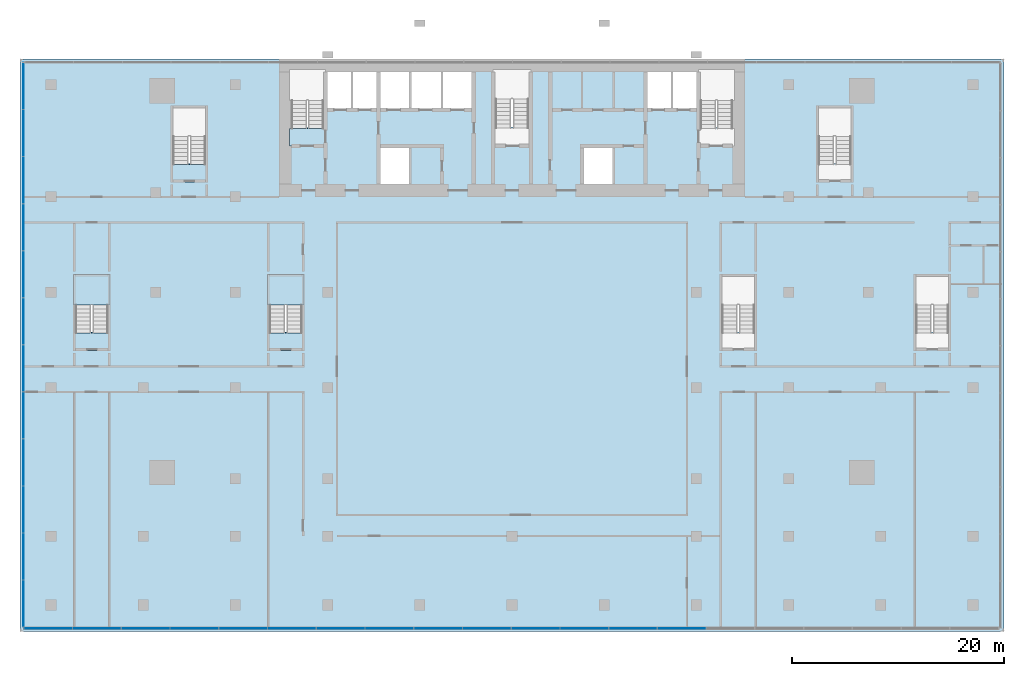
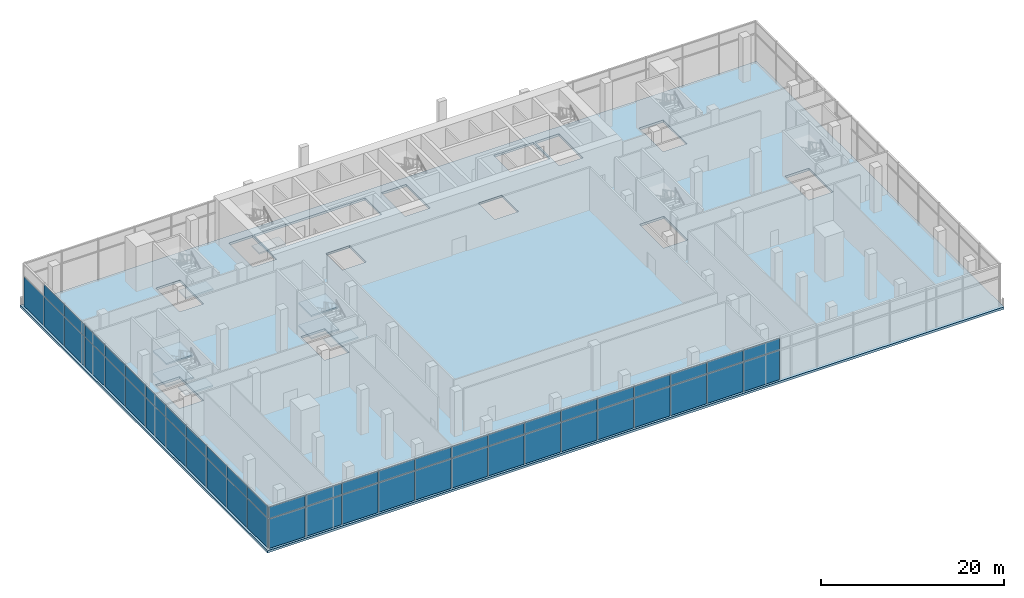
# One storey, part 9 of 21: 51 plates, 9 slabs, 6 elements without a shape of their own.
"""IFC4 building model written with IfcOpenShell, lengths in metres."""

from ifc_helpers import new_model, si_unit, direction, frame, origin, origin_2d, place, context, subcontext, project, spatial, polyline, rectangle, outline, extrude, material, layer, layer_set, type_object, element, aggregate, save


model = new_model("IFC4")

# Units and contexts
model_context = context("Model", 3, precision=1e-05, world=origin(), true_north=direction((0.0, 1.0)))
body_context = subcontext(model_context, "Body", "Model", "MODEL_VIEW")
ifc_project = project(units=[si_unit("LENGTHUNIT", "METRE"), si_unit("AREAUNIT", "SQUARE_METRE"), si_unit("VOLUMEUNIT", "CUBIC_METRE"), si_unit("PLANEANGLEUNIT", "RADIAN"), si_unit("MASSUNIT", "GRAM", prefix="KILO")], contexts=[model_context])

# Site, building, storey
site_placement = place(None, origin())
site = spatial("IfcSite", under=ifc_project, at=site_placement, CompositionType="ELEMENT")
building_placement = place(site_placement, origin())
building = spatial("IfcBuilding", under=site, at=building_placement, Name="Bicima Exchange Tower", CompositionType="ELEMENT")
storey_placement = place(building_placement, frame((0.0, 0.0, 8.0)))
storey = spatial("IfcBuildingStorey", under=building, at=storey_placement, Name="L01", CompositionType="ELEMENT", Elevation=8.0)

# Curtain wall, plates
ifc_material_1 = material(Name="Stainless steel", Category="steel")
curtain_wall_type_1 = type_object("IfcCurtainWallType", Name="Hall structural glazing", PredefinedType="NOTDEFINED", material=ifc_material_1)
curtain_wall_1_placement = place(storey_placement, origin())
curtain_wall_1 = element("IfcCurtainWall", 1, at=curtain_wall_1_placement, inside=storey, type_object=curtain_wall_type_1, Name="Podium glazing L01 south 1", PredefinedType="NOTDEFINED")
ifc_material_2 = material(Name="Clear low-iron glass", Category="glass")
ifc_layer_1 = layer(ifc_material_2, 0.0439453125)
ifc_layer_set_1 = layer_set([ifc_layer_1], Name="Clear low-iron glass")
plate_type_1 = type_object("IfcPlateType", Name="Hall structural glazing glass panel 44", PredefinedType="CURTAIN_PANEL", material=ifc_layer_set_1)
plate_1_placement = place(storey_placement, frame((-43.7607421875, -53.699951171875, 0.0), z_axis=(0.0, 0.0, 1.0), x_axis=(1.0, 0.0, 0.0)))
plate_1 = element("IfcPlate", 2, at=plate_1_placement, type_object=plate_type_1, Name="Hall structural glazing panel 1.1", PredefinedType="CURTAIN_PANEL", context=body_context, shape_type="SweptSolid", body=[
    extrude(rectangle(XDim=4.5185546875, YDim=0.0439453125, at=origin_2d()), origin(), (0.0, 0.0, 1.0), 3.89990234375),
])
plate_2_placement = place(storey_placement, frame((-43.7607421875, -53.699951171875, 4.0), z_axis=(0.0, 0.0, 1.0), x_axis=(1.0, 0.0, 0.0)))
plate_2 = element("IfcPlate", 3, at=plate_2_placement, type_object=plate_type_1, Name="Hall structural glazing panel 1.2", PredefinedType="CURTAIN_PANEL", context=body_context, shape_type="SweptSolid", body=[
    extrude(rectangle(XDim=4.5185546875, YDim=0.0439453125, at=origin_2d()), origin(), (0.0, 0.0, 1.0), 1.5),
])
plate_3_placement = place(storey_placement, frame((-39.162353515625, -53.699951171875, 0.0), z_axis=(0.0, 0.0, 1.0), x_axis=(1.0, 0.0, 0.0)))
plate_3 = element("IfcPlate", 4, at=plate_3_placement, type_object=plate_type_1, Name="Hall structural glazing panel 2.1", PredefinedType="CURTAIN_PANEL", context=body_context, shape_type="SweptSolid", body=[
    extrude(rectangle(XDim=4.5185546875, YDim=0.0439453125, at=origin_2d()), origin(), (0.0, 0.0, 1.0), 3.89990234375),
])
plate_4_placement = place(storey_placement, frame((-39.162353515625, -53.699951171875, 4.0), z_axis=(0.0, 0.0, 1.0), x_axis=(1.0, 0.0, 0.0)))
plate_4 = element("IfcPlate", 5, at=plate_4_placement, type_object=plate_type_1, Name="Hall structural glazing panel 2.2", PredefinedType="CURTAIN_PANEL", context=body_context, shape_type="SweptSolid", body=[
    extrude(rectangle(XDim=4.5185546875, YDim=0.0439453125, at=origin_2d()), origin(), (0.0, 0.0, 1.0), 1.5),
])
plate_5_placement = place(storey_placement, frame((-34.563720703125, -53.699951171875, 0.0), z_axis=(0.0, 0.0, 1.0), x_axis=(1.0, 0.0, 0.0)))
plate_5 = element("IfcPlate", 6, at=plate_5_placement, type_object=plate_type_1, Name="Hall structural glazing panel 3.1", PredefinedType="CURTAIN_PANEL", context=body_context, shape_type="SweptSolid", body=[
    extrude(rectangle(XDim=4.5185546875, YDim=0.0439453125, at=origin_2d()), origin(), (0.0, 0.0, 1.0), 3.89990234375),
])
plate_6_placement = place(storey_placement, frame((-34.563720703125, -53.699951171875, 4.0), z_axis=(0.0, 0.0, 1.0), x_axis=(1.0, 0.0, 0.0)))
plate_6 = element("IfcPlate", 7, at=plate_6_placement, type_object=plate_type_1, Name="Hall structural glazing panel 3.2", PredefinedType="CURTAIN_PANEL", context=body_context, shape_type="SweptSolid", body=[
    extrude(rectangle(XDim=4.5185546875, YDim=0.0439453125, at=origin_2d()), origin(), (0.0, 0.0, 1.0), 1.5),
])
plate_7_placement = place(storey_placement, frame((-29.96533203125, -53.699951171875, 0.0), z_axis=(0.0, 0.0, 1.0), x_axis=(1.0, 0.0, 0.0)))
plate_7 = element("IfcPlate", 8, at=plate_7_placement, type_object=plate_type_1, Name="Hall structural glazing panel 4.1", PredefinedType="CURTAIN_PANEL", context=body_context, shape_type="SweptSolid", body=[
    extrude(rectangle(XDim=4.5185546875, YDim=0.0439453125, at=origin_2d()), origin(), (0.0, 0.0, 1.0), 3.89990234375),
])
plate_8_placement = place(storey_placement, frame((-29.96533203125, -53.699951171875, 4.0), z_axis=(0.0, 0.0, 1.0), x_axis=(1.0, 0.0, 0.0)))
plate_8 = element("IfcPlate", 9, at=plate_8_placement, type_object=plate_type_1, Name="Hall structural glazing panel 4.2", PredefinedType="CURTAIN_PANEL", context=body_context, shape_type="SweptSolid", body=[
    extrude(rectangle(XDim=4.5185546875, YDim=0.0439453125, at=origin_2d()), origin(), (0.0, 0.0, 1.0), 1.5),
])
plate_9_placement = place(storey_placement, frame((-25.36669921875, -53.699951171875, 0.0), z_axis=(0.0, 0.0, 1.0), x_axis=(1.0, 0.0, 0.0)))
plate_9 = element("IfcPlate", 10, at=plate_9_placement, type_object=plate_type_1, Name="Hall structural glazing panel 5.1", PredefinedType="CURTAIN_PANEL", context=body_context, shape_type="SweptSolid", body=[
    extrude(rectangle(XDim=4.5185546875, YDim=0.0439453125, at=origin_2d()), origin(), (0.0, 0.0, 1.0), 3.89990234375),
])
plate_10_placement = place(storey_placement, frame((-25.36669921875, -53.699951171875, 4.0), z_axis=(0.0, 0.0, 1.0), x_axis=(1.0, 0.0, 0.0)))
plate_10 = element("IfcPlate", 11, at=plate_10_placement, type_object=plate_type_1, Name="Hall structural glazing panel 5.2", PredefinedType="CURTAIN_PANEL", context=body_context, shape_type="SweptSolid", body=[
    extrude(rectangle(XDim=4.5185546875, YDim=0.0439453125, at=origin_2d()), origin(), (0.0, 0.0, 1.0), 1.5),
])
plate_11_placement = place(storey_placement, frame((-20.768310546875, -53.699951171875, 0.0), z_axis=(0.0, 0.0, 1.0), x_axis=(1.0, 0.0, 0.0)))
plate_11 = element("IfcPlate", 12, at=plate_11_placement, type_object=plate_type_1, Name="Hall structural glazing panel 6.1", PredefinedType="CURTAIN_PANEL", context=body_context, shape_type="SweptSolid", body=[
    extrude(rectangle(XDim=4.5185546875, YDim=0.0439453125, at=origin_2d()), origin(), (0.0, 0.0, 1.0), 3.89990234375),
])
plate_12_placement = place(storey_placement, frame((-20.768310546875, -53.699951171875, 4.0), z_axis=(0.0, 0.0, 1.0), x_axis=(1.0, 0.0, 0.0)))
plate_12 = element("IfcPlate", 13, at=plate_12_placement, type_object=plate_type_1, Name="Hall structural glazing panel 6.2", PredefinedType="CURTAIN_PANEL", context=body_context, shape_type="SweptSolid", body=[
    extrude(rectangle(XDim=4.5185546875, YDim=0.0439453125, at=origin_2d()), origin(), (0.0, 0.0, 1.0), 1.5),
])
plate_13_placement = place(storey_placement, frame((-16.169921875, -53.699951171875, 0.0), z_axis=(0.0, 0.0, 1.0), x_axis=(1.0, 0.0, 0.0)))
plate_13 = element("IfcPlate", 14, at=plate_13_placement, type_object=plate_type_1, Name="Hall structural glazing panel 7.1", PredefinedType="CURTAIN_PANEL", context=body_context, shape_type="SweptSolid", body=[
    extrude(rectangle(XDim=4.5185546875, YDim=0.0439453125, at=origin_2d()), origin(), (0.0, 0.0, 1.0), 3.89990234375),
])
plate_14_placement = place(storey_placement, frame((-16.169921875, -53.699951171875, 4.0), z_axis=(0.0, 0.0, 1.0), x_axis=(1.0, 0.0, 0.0)))
plate_14 = element("IfcPlate", 15, at=plate_14_placement, type_object=plate_type_1, Name="Hall structural glazing panel 7.2", PredefinedType="CURTAIN_PANEL", context=body_context, shape_type="SweptSolid", body=[
    extrude(rectangle(XDim=4.5185546875, YDim=0.0439453125, at=origin_2d()), origin(), (0.0, 0.0, 1.0), 1.5),
])
plate_15_placement = place(storey_placement, frame((-11.5712890625, -53.699951171875, 0.0), z_axis=(0.0, 0.0, 1.0), x_axis=(1.0, 0.0, 0.0)))
plate_15 = element("IfcPlate", 16, at=plate_15_placement, type_object=plate_type_1, Name="Hall structural glazing panel 8.1", PredefinedType="CURTAIN_PANEL", context=body_context, shape_type="SweptSolid", body=[
    extrude(rectangle(XDim=4.5185546875, YDim=0.0439453125, at=origin_2d()), origin(), (0.0, 0.0, 1.0), 3.89990234375),
])
plate_16_placement = place(storey_placement, frame((-11.5712890625, -53.699951171875, 4.0), z_axis=(0.0, 0.0, 1.0), x_axis=(1.0, 0.0, 0.0)))
plate_16 = element("IfcPlate", 17, at=plate_16_placement, type_object=plate_type_1, Name="Hall structural glazing panel 8.2", PredefinedType="CURTAIN_PANEL", context=body_context, shape_type="SweptSolid", body=[
    extrude(rectangle(XDim=4.5185546875, YDim=0.0439453125, at=origin_2d()), origin(), (0.0, 0.0, 1.0), 1.5),
])
plate_17_placement = place(storey_placement, frame((-6.972900390625, -53.699951171875, 0.0), z_axis=(0.0, 0.0, 1.0), x_axis=(1.0, 0.0, 0.0)))
plate_17 = element("IfcPlate", 18, at=plate_17_placement, type_object=plate_type_1, Name="Hall structural glazing panel 9.1", PredefinedType="CURTAIN_PANEL", context=body_context, shape_type="SweptSolid", body=[
    extrude(rectangle(XDim=4.5185546875, YDim=0.0439453125, at=origin_2d()), origin(), (0.0, 0.0, 1.0), 3.89990234375),
])
plate_18_placement = place(storey_placement, frame((-6.972900390625, -53.699951171875, 4.0), z_axis=(0.0, 0.0, 1.0), x_axis=(1.0, 0.0, 0.0)))
plate_18 = element("IfcPlate", 19, at=plate_18_placement, type_object=plate_type_1, Name="Hall structural glazing panel 9.2", PredefinedType="CURTAIN_PANEL", context=body_context, shape_type="SweptSolid", body=[
    extrude(rectangle(XDim=4.5185546875, YDim=0.0439453125, at=origin_2d()), origin(), (0.0, 0.0, 1.0), 1.5),
])
plate_19_placement = place(storey_placement, frame((-2.374267578125, -53.699951171875, 0.0), z_axis=(0.0, 0.0, 1.0), x_axis=(1.0, 0.0, 0.0)))
plate_19 = element("IfcPlate", 20, at=plate_19_placement, type_object=plate_type_1, Name="Hall structural glazing panel 10.1", PredefinedType="CURTAIN_PANEL", context=body_context, shape_type="SweptSolid", body=[
    extrude(rectangle(XDim=4.5185546875, YDim=0.0439453125, at=origin_2d()), origin(), (0.0, 0.0, 1.0), 3.89990234375),
])
plate_20_placement = place(storey_placement, frame((-2.374267578125, -53.699951171875, 4.0), z_axis=(0.0, 0.0, 1.0), x_axis=(1.0, 0.0, 0.0)))
plate_20 = element("IfcPlate", 21, at=plate_20_placement, type_object=plate_type_1, Name="Hall structural glazing panel 10.2", PredefinedType="CURTAIN_PANEL", context=body_context, shape_type="SweptSolid", body=[
    extrude(rectangle(XDim=4.5185546875, YDim=0.0439453125, at=origin_2d()), origin(), (0.0, 0.0, 1.0), 1.5),
])
plate_21_placement = place(storey_placement, frame((2.22412109375, -53.699951171875, 0.0), z_axis=(0.0, 0.0, 1.0), x_axis=(1.0, 0.0, 0.0)))
plate_21 = element("IfcPlate", 22, at=plate_21_placement, type_object=plate_type_1, Name="Hall structural glazing panel 11.1", PredefinedType="CURTAIN_PANEL", context=body_context, shape_type="SweptSolid", body=[
    extrude(rectangle(XDim=4.5185546875, YDim=0.0439453125, at=origin_2d()), origin(), (0.0, 0.0, 1.0), 3.89990234375),
])
plate_22_placement = place(storey_placement, frame((2.22412109375, -53.699951171875, 4.0), z_axis=(0.0, 0.0, 1.0), x_axis=(1.0, 0.0, 0.0)))
plate_22 = element("IfcPlate", 23, at=plate_22_placement, type_object=plate_type_1, Name="Hall structural glazing panel 11.2", PredefinedType="CURTAIN_PANEL", context=body_context, shape_type="SweptSolid", body=[
    extrude(rectangle(XDim=4.5185546875, YDim=0.0439453125, at=origin_2d()), origin(), (0.0, 0.0, 1.0), 1.5),
])
plate_23_placement = place(storey_placement, frame((6.82275390625, -53.699951171875, 0.0), z_axis=(0.0, 0.0, 1.0), x_axis=(1.0, 0.0, 0.0)))
plate_23 = element("IfcPlate", 24, at=plate_23_placement, type_object=plate_type_1, Name="Hall structural glazing panel 12.1", PredefinedType="CURTAIN_PANEL", context=body_context, shape_type="SweptSolid", body=[
    extrude(rectangle(XDim=4.5185546875, YDim=0.0439453125, at=origin_2d()), origin(), (0.0, 0.0, 1.0), 3.89990234375),
])
plate_24_placement = place(storey_placement, frame((6.82275390625, -53.699951171875, 4.0), z_axis=(0.0, 0.0, 1.0), x_axis=(1.0, 0.0, 0.0)))
plate_24 = element("IfcPlate", 25, at=plate_24_placement, type_object=plate_type_1, Name="Hall structural glazing panel 12.2", PredefinedType="CURTAIN_PANEL", context=body_context, shape_type="SweptSolid", body=[
    extrude(rectangle(XDim=4.5185546875, YDim=0.0439453125, at=origin_2d()), origin(), (0.0, 0.0, 1.0), 1.5),
])
plate_25_placement = place(storey_placement, frame((11.421142578125, -53.699951171875, 0.0), z_axis=(0.0, 0.0, 1.0), x_axis=(1.0, 0.0, 0.0)))
plate_25 = element("IfcPlate", 26, at=plate_25_placement, type_object=plate_type_1, Name="Hall structural glazing panel 13.1", PredefinedType="CURTAIN_PANEL", context=body_context, shape_type="SweptSolid", body=[
    extrude(rectangle(XDim=4.5185546875, YDim=0.0439453125, at=origin_2d()), origin(), (0.0, 0.0, 1.0), 3.89990234375),
])
plate_26_placement = place(storey_placement, frame((11.421142578125, -53.699951171875, 4.0), z_axis=(0.0, 0.0, 1.0), x_axis=(1.0, 0.0, 0.0)))
plate_26 = element("IfcPlate", 27, at=plate_26_placement, type_object=plate_type_1, Name="Hall structural glazing panel 13.2", PredefinedType="CURTAIN_PANEL", context=body_context, shape_type="SweptSolid", body=[
    extrude(rectangle(XDim=4.5185546875, YDim=0.0439453125, at=origin_2d()), origin(), (0.0, 0.0, 1.0), 1.5),
])
plate_27_placement = place(storey_placement, frame((16.019775390625, -53.699951171875, 0.0), z_axis=(0.0, 0.0, 1.0), x_axis=(1.0, 0.0, 0.0)))
plate_27 = element("IfcPlate", 28, at=plate_27_placement, type_object=plate_type_1, Name="Hall structural glazing panel 14.1", PredefinedType="CURTAIN_PANEL", context=body_context, shape_type="SweptSolid", body=[
    extrude(rectangle(XDim=4.5185546875, YDim=0.0439453125, at=origin_2d()), origin(), (0.0, 0.0, 1.0), 3.89990234375),
])
plate_28_placement = place(storey_placement, frame((16.019775390625, -53.699951171875, 4.0), z_axis=(0.0, 0.0, 1.0), x_axis=(1.0, 0.0, 0.0)))
plate_28 = element("IfcPlate", 29, at=plate_28_placement, type_object=plate_type_1, Name="Hall structural glazing panel 14.2", PredefinedType="CURTAIN_PANEL", context=body_context, shape_type="SweptSolid", body=[
    extrude(rectangle(XDim=4.5185546875, YDim=0.0439453125, at=origin_2d()), origin(), (0.0, 0.0, 1.0), 1.5),
])
aggregate(curtain_wall_1, [plate_1, plate_2, plate_3, plate_4, plate_5, plate_6, plate_7, plate_8, plate_9, plate_10, plate_11, plate_12, plate_13, plate_14, plate_15, plate_16, plate_17, plate_18, plate_19, plate_20, plate_21, plate_22, plate_23, plate_24, plate_25, plate_26, plate_27, plate_28])

ifc_material_3 = material(Name="Anodised bronze aluminium", Category="aluminium")
curtain_wall_type_2 = type_object("IfcCurtainWallType", Name="Lobby glazing", PredefinedType="NOTDEFINED", material=ifc_material_3)
curtain_wall_2_placement = place(storey_placement, origin())
curtain_wall_2 = element("IfcCurtainWall", 30, at=curtain_wall_2_placement, inside=storey, type_object=curtain_wall_type_2, Name="Podium glazing L01 west 1", PredefinedType="NOTDEFINED")
ifc_layer_2 = layer(ifc_material_2, 0.035888671875)
ifc_layer_set_2 = layer_set([ifc_layer_2], Name="Clear low-iron glass")
plate_type_2 = type_object("IfcPlateType", Name="Lobby glazing glass panel 36", PredefinedType="CURTAIN_PANEL", material=ifc_layer_set_2)
plate_29_placement = place(storey_placement, frame((-46.10009765625, -2.54833984375, 0.0), z_axis=(0.0, 0.0, 1.0), x_axis=(0.0, -1.0, 0.0)))
plate_29 = element("IfcPlate", 31, at=plate_29_placement, type_object=plate_type_2, Name="Lobby glazing panel 1.1", PredefinedType="CURTAIN_PANEL", context=body_context, shape_type="SweptSolid", body=[
    extrude(rectangle(XDim=4.376708984375, YDim=0.035888671875, at=origin_2d()), origin(), (0.0, 0.0, 1.0), 3.929931640625),
])
plate_30_placement = place(storey_placement, frame((-46.10009765625, -6.985107421875, 0.0), z_axis=(0.0, 0.0, 1.0), x_axis=(0.0, -1.0, 0.0)))
plate_30 = element("IfcPlate", 32, at=plate_30_placement, type_object=plate_type_2, Name="Lobby glazing panel 2.1", PredefinedType="CURTAIN_PANEL", context=body_context, shape_type="SweptSolid", body=[
    extrude(rectangle(XDim=4.376708984375, YDim=0.035888671875, at=origin_2d()), origin(), (0.0, 0.0, 1.0), 3.929931640625),
])
plate_31_placement = place(storey_placement, frame((-46.10009765625, -6.985107421875, 4.0), z_axis=(0.0, 0.0, 1.0), x_axis=(0.0, -1.0, 0.0)))
plate_31 = element("IfcPlate", 33, at=plate_31_placement, type_object=plate_type_2, Name="Lobby glazing panel 2.2", PredefinedType="CURTAIN_PANEL", context=body_context, shape_type="SweptSolid", body=[
    extrude(rectangle(XDim=4.376708984375, YDim=0.035888671875, at=origin_2d()), origin(), (0.0, 0.0, 1.0), 1.56005859375),
])
plate_32_placement = place(storey_placement, frame((-46.10009765625, -11.421630859375, 0.0), z_axis=(0.0, 0.0, 1.0), x_axis=(0.0, -1.0, 0.0)))
plate_32 = element("IfcPlate", 34, at=plate_32_placement, type_object=plate_type_2, Name="Lobby glazing panel 3.1", PredefinedType="CURTAIN_PANEL", context=body_context, shape_type="SweptSolid", body=[
    extrude(rectangle(XDim=4.376708984375, YDim=0.035888671875, at=origin_2d()), origin(), (0.0, 0.0, 1.0), 3.929931640625),
])
plate_33_placement = place(storey_placement, frame((-46.10009765625, -11.421630859375, 4.0), z_axis=(0.0, 0.0, 1.0), x_axis=(0.0, -1.0, 0.0)))
plate_33 = element("IfcPlate", 35, at=plate_33_placement, type_object=plate_type_2, Name="Lobby glazing panel 3.2", PredefinedType="CURTAIN_PANEL", context=body_context, shape_type="SweptSolid", body=[
    extrude(rectangle(XDim=4.376708984375, YDim=0.035888671875, at=origin_2d()), origin(), (0.0, 0.0, 1.0), 1.56005859375),
])
plate_34_placement = place(storey_placement, frame((-46.10009765625, -15.8583984375, 0.0), z_axis=(0.0, 0.0, 1.0), x_axis=(0.0, -1.0, 0.0)))
plate_34 = element("IfcPlate", 36, at=plate_34_placement, type_object=plate_type_2, Name="Lobby glazing panel 4.1", PredefinedType="CURTAIN_PANEL", context=body_context, shape_type="SweptSolid", body=[
    extrude(rectangle(XDim=4.376708984375, YDim=0.035888671875, at=origin_2d()), origin(), (0.0, 0.0, 1.0), 3.929931640625),
])
plate_35_placement = place(storey_placement, frame((-46.10009765625, -15.8583984375, 4.0), z_axis=(0.0, 0.0, 1.0), x_axis=(0.0, -1.0, 0.0)))
plate_35 = element("IfcPlate", 37, at=plate_35_placement, type_object=plate_type_2, Name="Lobby glazing panel 4.2", PredefinedType="CURTAIN_PANEL", context=body_context, shape_type="SweptSolid", body=[
    extrude(rectangle(XDim=4.376708984375, YDim=0.035888671875, at=origin_2d()), origin(), (0.0, 0.0, 1.0), 1.56005859375),
])
plate_36_placement = place(storey_placement, frame((-46.10009765625, -20.294921875, 0.0), z_axis=(0.0, 0.0, 1.0), x_axis=(0.0, -1.0, 0.0)))
plate_36 = element("IfcPlate", 38, at=plate_36_placement, type_object=plate_type_2, Name="Lobby glazing panel 5.1", PredefinedType="CURTAIN_PANEL", context=body_context, shape_type="SweptSolid", body=[
    extrude(rectangle(XDim=4.376708984375, YDim=0.035888671875, at=origin_2d()), origin(), (0.0, 0.0, 1.0), 3.929931640625),
])
plate_37_placement = place(storey_placement, frame((-46.10009765625, -20.294921875, 4.0), z_axis=(0.0, 0.0, 1.0), x_axis=(0.0, -1.0, 0.0)))
plate_37 = element("IfcPlate", 39, at=plate_37_placement, type_object=plate_type_2, Name="Lobby glazing panel 5.2", PredefinedType="CURTAIN_PANEL", context=body_context, shape_type="SweptSolid", body=[
    extrude(rectangle(XDim=4.376708984375, YDim=0.035888671875, at=origin_2d()), origin(), (0.0, 0.0, 1.0), 1.56005859375),
])
plate_38_placement = place(storey_placement, frame((-46.10009765625, -24.731689453125, 0.0), z_axis=(0.0, 0.0, 1.0), x_axis=(0.0, -1.0, 0.0)))
plate_38 = element("IfcPlate", 40, at=plate_38_placement, type_object=plate_type_2, Name="Lobby glazing panel 6.1", PredefinedType="CURTAIN_PANEL", context=body_context, shape_type="SweptSolid", body=[
    extrude(rectangle(XDim=4.376708984375, YDim=0.035888671875, at=origin_2d()), origin(), (0.0, 0.0, 1.0), 3.929931640625),
])
plate_39_placement = place(storey_placement, frame((-46.10009765625, -24.731689453125, 4.0), z_axis=(0.0, 0.0, 1.0), x_axis=(0.0, -1.0, 0.0)))
plate_39 = element("IfcPlate", 41, at=plate_39_placement, type_object=plate_type_2, Name="Lobby glazing panel 6.2", PredefinedType="CURTAIN_PANEL", context=body_context, shape_type="SweptSolid", body=[
    extrude(rectangle(XDim=4.376708984375, YDim=0.035888671875, at=origin_2d()), origin(), (0.0, 0.0, 1.0), 1.56005859375),
])
plate_40_placement = place(storey_placement, frame((-46.10009765625, -29.168212890625, 0.0), z_axis=(0.0, 0.0, 1.0), x_axis=(0.0, -1.0, 0.0)))
plate_40 = element("IfcPlate", 42, at=plate_40_placement, type_object=plate_type_2, Name="Lobby glazing panel 7.1", PredefinedType="CURTAIN_PANEL", context=body_context, shape_type="SweptSolid", body=[
    extrude(rectangle(XDim=4.376708984375, YDim=0.035888671875, at=origin_2d()), origin(), (0.0, 0.0, 1.0), 3.929931640625),
])
plate_41_placement = place(storey_placement, frame((-46.10009765625, -29.168212890625, 4.0), z_axis=(0.0, 0.0, 1.0), x_axis=(0.0, -1.0, 0.0)))
plate_41 = element("IfcPlate", 43, at=plate_41_placement, type_object=plate_type_2, Name="Lobby glazing panel 7.2", PredefinedType="CURTAIN_PANEL", context=body_context, shape_type="SweptSolid", body=[
    extrude(rectangle(XDim=4.376708984375, YDim=0.035888671875, at=origin_2d()), origin(), (0.0, 0.0, 1.0), 1.56005859375),
])
plate_42_placement = place(storey_placement, frame((-46.10009765625, -33.60498046875, 0.0), z_axis=(0.0, 0.0, 1.0), x_axis=(0.0, -1.0, 0.0)))
plate_42 = element("IfcPlate", 44, at=plate_42_placement, type_object=plate_type_2, Name="Lobby glazing panel 8.1", PredefinedType="CURTAIN_PANEL", context=body_context, shape_type="SweptSolid", body=[
    extrude(rectangle(XDim=4.376708984375, YDim=0.035888671875, at=origin_2d()), origin(), (0.0, 0.0, 1.0), 3.929931640625),
])
plate_43_placement = place(storey_placement, frame((-46.10009765625, -33.60498046875, 4.0), z_axis=(0.0, 0.0, 1.0), x_axis=(0.0, -1.0, 0.0)))
plate_43 = element("IfcPlate", 45, at=plate_43_placement, type_object=plate_type_2, Name="Lobby glazing panel 8.2", PredefinedType="CURTAIN_PANEL", context=body_context, shape_type="SweptSolid", body=[
    extrude(rectangle(XDim=4.376708984375, YDim=0.035888671875, at=origin_2d()), origin(), (0.0, 0.0, 1.0), 1.56005859375),
])
plate_44_placement = place(storey_placement, frame((-46.10009765625, -38.041748046875, 0.0), z_axis=(0.0, 0.0, 1.0), x_axis=(0.0, -1.0, 0.0)))
plate_44 = element("IfcPlate", 46, at=plate_44_placement, type_object=plate_type_2, Name="Lobby glazing panel 9.1", PredefinedType="CURTAIN_PANEL", context=body_context, shape_type="SweptSolid", body=[
    extrude(rectangle(XDim=4.376708984375, YDim=0.035888671875, at=origin_2d()), origin(), (0.0, 0.0, 1.0), 3.929931640625),
])
plate_45_placement = place(storey_placement, frame((-46.10009765625, -38.041748046875, 4.0), z_axis=(0.0, 0.0, 1.0), x_axis=(0.0, -1.0, 0.0)))
plate_45 = element("IfcPlate", 47, at=plate_45_placement, type_object=plate_type_2, Name="Lobby glazing panel 9.2", PredefinedType="CURTAIN_PANEL", context=body_context, shape_type="SweptSolid", body=[
    extrude(rectangle(XDim=4.376708984375, YDim=0.035888671875, at=origin_2d()), origin(), (0.0, 0.0, 1.0), 1.56005859375),
])
plate_46_placement = place(storey_placement, frame((-46.10009765625, -42.478271484375, 0.0), z_axis=(0.0, 0.0, 1.0), x_axis=(0.0, -1.0, 0.0)))
plate_46 = element("IfcPlate", 48, at=plate_46_placement, type_object=plate_type_2, Name="Lobby glazing panel 10.1", PredefinedType="CURTAIN_PANEL", context=body_context, shape_type="SweptSolid", body=[
    extrude(rectangle(XDim=4.376708984375, YDim=0.035888671875, at=origin_2d()), origin(), (0.0, 0.0, 1.0), 3.929931640625),
])
plate_47_placement = place(storey_placement, frame((-46.10009765625, -42.478271484375, 4.0), z_axis=(0.0, 0.0, 1.0), x_axis=(0.0, -1.0, 0.0)))
plate_47 = element("IfcPlate", 49, at=plate_47_placement, type_object=plate_type_2, Name="Lobby glazing panel 10.2", PredefinedType="CURTAIN_PANEL", context=body_context, shape_type="SweptSolid", body=[
    extrude(rectangle(XDim=4.376708984375, YDim=0.035888671875, at=origin_2d()), origin(), (0.0, 0.0, 1.0), 1.56005859375),
])
plate_48_placement = place(storey_placement, frame((-46.10009765625, -46.9150390625, 0.0), z_axis=(0.0, 0.0, 1.0), x_axis=(0.0, -1.0, 0.0)))
plate_48 = element("IfcPlate", 50, at=plate_48_placement, type_object=plate_type_2, Name="Lobby glazing panel 11.1", PredefinedType="CURTAIN_PANEL", context=body_context, shape_type="SweptSolid", body=[
    extrude(rectangle(XDim=4.376708984375, YDim=0.035888671875, at=origin_2d()), origin(), (0.0, 0.0, 1.0), 3.929931640625),
])
plate_49_placement = place(storey_placement, frame((-46.10009765625, -46.9150390625, 4.0), z_axis=(0.0, 0.0, 1.0), x_axis=(0.0, -1.0, 0.0)))
plate_49 = element("IfcPlate", 51, at=plate_49_placement, type_object=plate_type_2, Name="Lobby glazing panel 11.2", PredefinedType="CURTAIN_PANEL", context=body_context, shape_type="SweptSolid", body=[
    extrude(rectangle(XDim=4.376708984375, YDim=0.035888671875, at=origin_2d()), origin(), (0.0, 0.0, 1.0), 1.56005859375),
])
plate_50_placement = place(storey_placement, frame((-46.10009765625, -51.351806640625, 0.0), z_axis=(0.0, 0.0, 1.0), x_axis=(0.0, -1.0, 0.0)))
plate_50 = element("IfcPlate", 52, at=plate_50_placement, type_object=plate_type_2, Name="Lobby glazing panel 12.1", PredefinedType="CURTAIN_PANEL", context=body_context, shape_type="SweptSolid", body=[
    extrude(rectangle(XDim=4.376708984375, YDim=0.035888671875, at=origin_2d()), origin(), (0.0, 0.0, 1.0), 3.929931640625),
])
plate_51_placement = place(storey_placement, frame((-46.10009765625, -51.351806640625, 4.0), z_axis=(0.0, 0.0, 1.0), x_axis=(0.0, -1.0, 0.0)))
plate_51 = element("IfcPlate", 53, at=plate_51_placement, type_object=plate_type_2, Name="Lobby glazing panel 12.2", PredefinedType="CURTAIN_PANEL", context=body_context, shape_type="SweptSolid", body=[
    extrude(rectangle(XDim=4.376708984375, YDim=0.035888671875, at=origin_2d()), origin(), (0.0, 0.0, 1.0), 1.56005859375),
])
aggregate(curtain_wall_2, [plate_29, plate_30, plate_31, plate_32, plate_33, plate_34, plate_35, plate_36, plate_37, plate_38, plate_39, plate_40, plate_41, plate_42, plate_43, plate_44, plate_45, plate_46, plate_47, plate_48, plate_49, plate_50, plate_51])

# Slab
ifc_material_4 = material(Name="Concrete C40/50", Category="concrete")
ifc_layer_3 = layer(ifc_material_4, 0.300048828125)
ifc_layer_set_3 = layer_set([ifc_layer_3], Name="Concrete C40/50")
slab_type_1 = type_object("IfcSlabType", Name="Reinforced concrete flat plate 300", PredefinedType="FLOOR", material=ifc_layer_set_3)
slab_1_placement = place(storey_placement, frame((0.0, 0.0, -0.300048828125)))
element("IfcSlab", 54, at=slab_1_placement, inside=storey, type_object=slab_type_1, Name="Floor slab", PredefinedType="FLOOR", context=body_context, shape_type="SweptSolid", body=[
    extrude(outline(polyline([(-46.39990234375, 0.0), (46.39990234375, 0.0), (46.39990234375, -54.0), (-46.39990234375, -54.0), (-46.39990234375, 0.0)]), holes=[polyline([(-41.175048828125, -25.72509765625), (-38.125, -25.72509765625), (-38.125, -20.52490234375), (-41.175048828125, -20.52490234375), (-41.175048828125, -25.72509765625)]), polyline([(-22.875, -25.72509765625), (-19.824951171875, -25.72509765625), (-19.824951171875, -20.52490234375), (-22.875, -20.52490234375), (-22.875, -25.72509765625)]), polyline([(-12.60009765625, -11.800048828125), (-9.60009765625, -11.800048828125), (-9.60009765625, -8.199951171875), (-12.60009765625, -8.199951171875), (-12.60009765625, -11.800048828125)]), polyline([(-31.97509765625, -9.824951171875), (-28.925048828125, -9.824951171875), (-28.925048828125, -4.625), (-31.97509765625, -4.625), (-31.97509765625, -9.824951171875)]), polyline([(-20.800048828125, -6.449951171875), (-17.800048828125, -6.449951171875), (-17.800048828125, -1.199951171875), (-20.800048828125, -1.199951171875), (-20.800048828125, -6.449951171875)]), polyline([(-17.60009765625, -1.199951171875), (-17.60009765625, -4.800048828125), (-15.10009765625, -4.800048828125), (-12.60009765625, -4.800048828125), (-9.60009765625, -4.800048828125), (-6.60009765625, -4.800048828125), (-3.60009765625, -4.800048828125), (-3.60009765625, -1.199951171875), (-6.60009765625, -1.199951171875), (-9.60009765625, -1.199951171875), (-12.60009765625, -1.199951171875), (-15.10009765625, -1.199951171875), (-17.60009765625, -1.199951171875)]), polyline([(19.824951171875, -25.72509765625), (22.875, -25.72509765625), (22.875, -20.52490234375), (19.824951171875, -20.52490234375), (19.824951171875, -25.72509765625)]), polyline([(38.125, -25.72509765625), (41.175048828125, -25.72509765625), (41.175048828125, -20.52490234375), (38.125, -20.52490234375), (38.125, -25.72509765625)]), polyline([(6.60009765625, -11.800048828125), (9.60009765625, -11.800048828125), (9.60009765625, -8.199951171875), (6.60009765625, -8.199951171875), (6.60009765625, -11.800048828125)]), polyline([(28.925048828125, -9.824951171875), (31.97509765625, -9.824951171875), (31.97509765625, -4.625), (28.925048828125, -4.625), (28.925048828125, -9.824951171875)]), polyline([(17.800048828125, -6.449951171875), (20.800048828125, -6.449951171875), (20.800048828125, -1.199951171875), (17.800048828125, -1.199951171875), (17.800048828125, -6.449951171875)]), polyline([(-1.574951171875, -6.39990234375), (1.574951171875, -6.39990234375), (1.574951171875, -1.199951171875), (-1.574951171875, -1.199951171875), (-1.574951171875, -6.39990234375)]), polyline([(15.10009765625, -4.800048828125), (17.60009765625, -4.800048828125), (17.60009765625, -1.199951171875), (15.10009765625, -1.199951171875), (12.60009765625, -1.199951171875), (12.60009765625, -4.800048828125), (15.10009765625, -4.800048828125)])]), origin(), (0.0, 0.0, 1.0), 0.300048828125),
])

# Stair, slab
ifc_material_5 = material(Name="Concrete C50/60", Category="concrete")
stair_type = type_object("IfcStairType", Name="Exit stair", PredefinedType="HALF_TURN_STAIR", material=ifc_material_5)
stair_1_placement = place(storey_placement, origin())
stair_1 = element("IfcStair", 55, at=stair_1_placement, inside=storey, type_object=stair_type, Name="L01 West exit stair", PredefinedType="HALF_TURN_STAIR")
ifc_layer_4 = layer(ifc_material_5, 0.199951171875)
ifc_layer_set_4 = layer_set([ifc_layer_4], Name="Concrete C50/60")
slab_type_2 = type_object("IfcSlabType", Name="Stair landing slab", PredefinedType="LANDING", material=ifc_layer_set_4)
slab_2_placement = place(storey_placement, frame((0.0, 0.0, 2.800048828125)))
slab_2 = element("IfcSlab", 56, at=slab_2_placement, type_object=slab_type_2, Name="ST-W landing 2", PredefinedType="LANDING", context=body_context, shape_type="SweptSolid", body=[
    extrude(outline(polyline([(-17.60009765625, -8.199951171875), (-17.60009765625, -6.550048828125), (-21.0, -6.550048828125), (-21.0, -8.199951171875), (-17.60009765625, -8.199951171875)])), origin(), (0.0, 0.0, 1.0), 0.199951171875),
])
aggregate(stair_1, [slab_2])

stair_2_placement = place(storey_placement, origin())
stair_2 = element("IfcStair", 57, at=stair_2_placement, inside=storey, type_object=stair_type, Name="L01 West end exit stair", PredefinedType="HALF_TURN_STAIR")
slab_3_placement = place(storey_placement, frame((0.0, 0.0, 2.800048828125)))
slab_3 = element("IfcSlab", 58, at=slab_3_placement, type_object=slab_type_2, Name="ST-WW landing 2", PredefinedType="LANDING", context=body_context, shape_type="SweptSolid", body=[
    extrude(outline(polyline([(-28.72509765625, -11.574951171875), (-28.72509765625, -9.925048828125), (-32.175048828125, -9.925048828125), (-32.175048828125, -11.574951171875), (-28.72509765625, -11.574951171875)])), origin(), (0.0, 0.0, 1.0), 0.199951171875),
])
aggregate(stair_2, [slab_3])

# Stair, slabs
stair_3_placement = place(storey_placement, origin())
stair_3 = element("IfcStair", 59, at=stair_3_placement, inside=storey, type_object=stair_type, Name="L01 Podium west stair", PredefinedType="HALF_TURN_STAIR")
slab_4_placement = place(storey_placement, frame((0.0, 0.0, 1.300048828125)))
slab_4 = element("IfcSlab", 60, at=slab_4_placement, type_object=slab_type_2, Name="PS-W landing 1", PredefinedType="LANDING", context=body_context, shape_type="SweptSolid", body=[
    extrude(outline(polyline([(-37.925048828125, -23.195068359375), (-37.925048828125, -20.324951171875), (-41.375, -20.324951171875), (-41.375, -23.195068359375), (-37.925048828125, -23.195068359375)])), origin(), (0.0, 0.0, 1.0), 0.199951171875),
])
slab_5_placement = place(storey_placement, frame((0.0, 0.0, 2.800048828125)))
slab_5 = element("IfcSlab", 61, at=slab_5_placement, type_object=slab_type_2, Name="PS-W landing 2", PredefinedType="LANDING", context=body_context, shape_type="SweptSolid", body=[
    extrude(outline(polyline([(-37.925048828125, -27.47509765625), (-37.925048828125, -25.824951171875), (-41.375, -25.824951171875), (-41.375, -27.47509765625), (-37.925048828125, -27.47509765625)])), origin(), (0.0, 0.0, 1.0), 0.199951171875),
])
slab_6_placement = place(storey_placement, frame((0.0, 0.0, 4.300048828125)))
slab_6 = element("IfcSlab", 62, at=slab_6_placement, type_object=slab_type_2, Name="PS-W landing 3", PredefinedType="LANDING", context=body_context, shape_type="SweptSolid", body=[
    extrude(outline(polyline([(-37.925048828125, -23.195068359375), (-37.925048828125, -20.324951171875), (-41.375, -20.324951171875), (-41.375, -23.195068359375), (-37.925048828125, -23.195068359375)])), origin(), (0.0, 0.0, 1.0), 0.199951171875),
])
aggregate(stair_3, [slab_4, slab_5, slab_6])

stair_4_placement = place(storey_placement, origin())
stair_4 = element("IfcStair", 63, at=stair_4_placement, inside=storey, type_object=stair_type, Name="L01 Podium inner west stair", PredefinedType="HALF_TURN_STAIR")
slab_7_placement = place(storey_placement, frame((0.0, 0.0, 1.300048828125)))
slab_7 = element("IfcSlab", 64, at=slab_7_placement, type_object=slab_type_2, Name="PS-WI landing 1", PredefinedType="LANDING", context=body_context, shape_type="SweptSolid", body=[
    extrude(outline(polyline([(-19.625, -23.195068359375), (-19.625, -20.324951171875), (-23.074951171875, -20.324951171875), (-23.074951171875, -23.195068359375), (-19.625, -23.195068359375)])), origin(), (0.0, 0.0, 1.0), 0.199951171875),
])
slab_8_placement = place(storey_placement, frame((0.0, 0.0, 2.800048828125)))
slab_8 = element("IfcSlab", 65, at=slab_8_placement, type_object=slab_type_2, Name="PS-WI landing 2", PredefinedType="LANDING", context=body_context, shape_type="SweptSolid", body=[
    extrude(outline(polyline([(-19.625, -27.47509765625), (-19.625, -25.824951171875), (-23.074951171875, -25.824951171875), (-23.074951171875, -27.47509765625), (-19.625, -27.47509765625)])), origin(), (0.0, 0.0, 1.0), 0.199951171875),
])
slab_9_placement = place(storey_placement, frame((0.0, 0.0, 4.300048828125)))
slab_9 = element("IfcSlab", 66, at=slab_9_placement, type_object=slab_type_2, Name="PS-WI landing 3", PredefinedType="LANDING", context=body_context, shape_type="SweptSolid", body=[
    extrude(outline(polyline([(-19.625, -23.195068359375), (-19.625, -20.324951171875), (-23.074951171875, -20.324951171875), (-23.074951171875, -23.195068359375), (-19.625, -23.195068359375)])), origin(), (0.0, 0.0, 1.0), 0.199951171875),
])
aggregate(stair_4, [slab_7, slab_8, slab_9])

save(model, "model.ifc")
